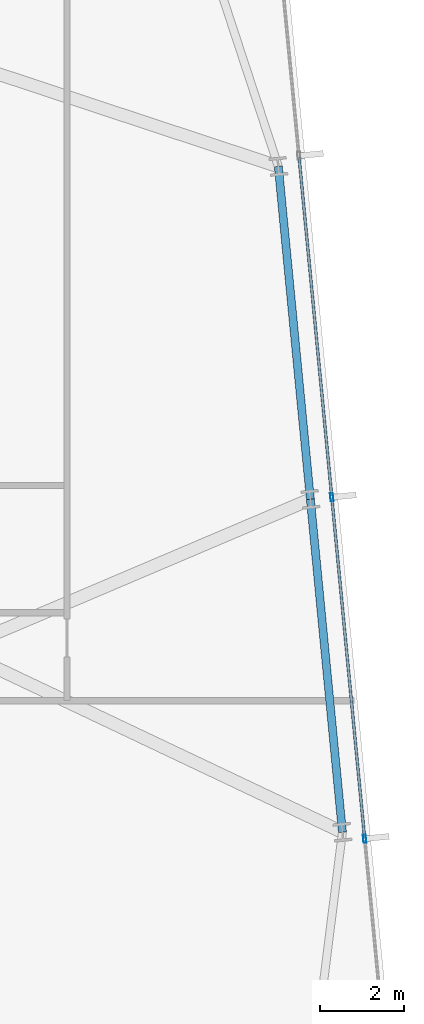
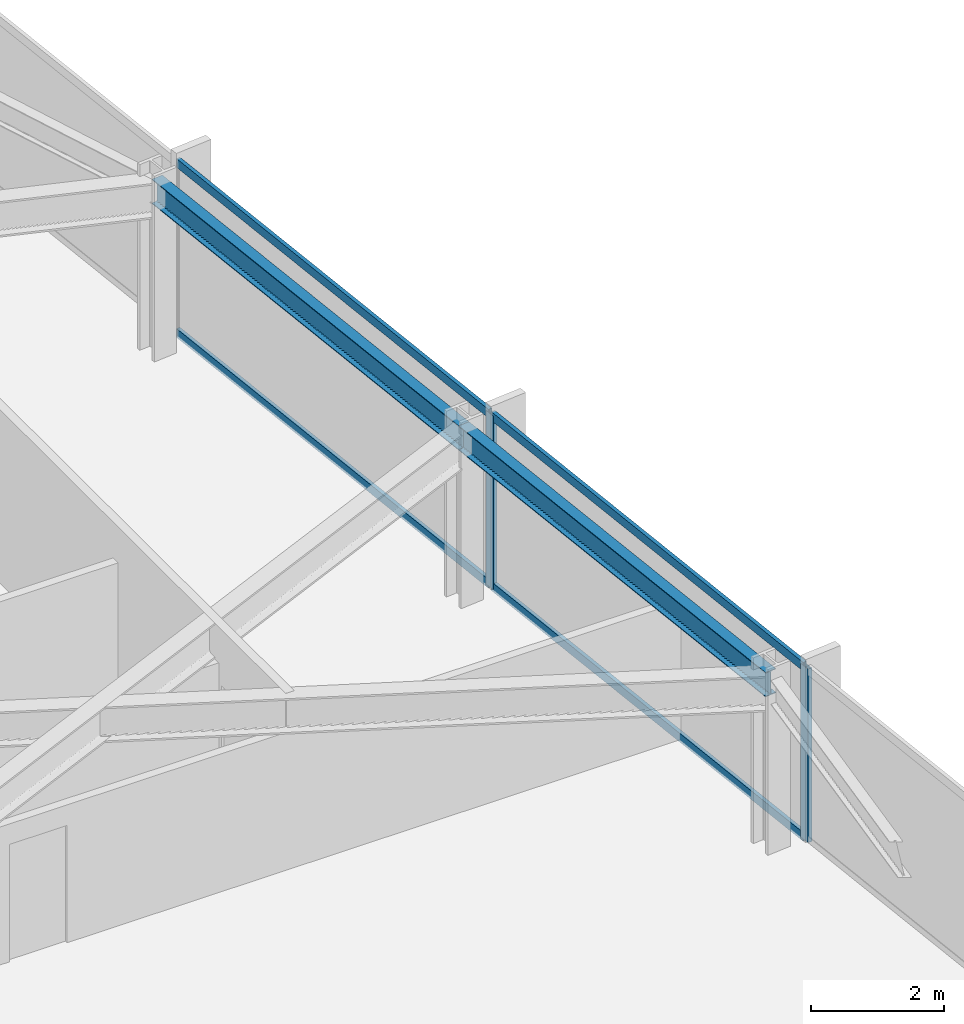
# One storey, part 16 of 32: 6 members, 2 beams, 1 element without a shape of its own.
"""IFC4 building model written with IfcOpenShell, lengths in metres."""

from ifc_helpers import new_model, si_unit, direction, frame, origin, origin_2d, place, context, subcontext, project, spatial, hollow_rectangle, i_section, extrude, material, material_profile, profile_set, type_object, element, aggregate, save


model = new_model("IFC4")

# Units and contexts
model_context = context("Model", 3, precision=1e-05, world=origin(), true_north=direction((0.0, 1.0)))
body_context = subcontext(model_context, "Body", "Model", "MODEL_VIEW")
ifc_project = project(units=[si_unit("LENGTHUNIT", "METRE"), si_unit("AREAUNIT", "SQUARE_METRE"), si_unit("VOLUMEUNIT", "CUBIC_METRE"), si_unit("PLANEANGLEUNIT", "RADIAN"), si_unit("MASSUNIT", "GRAM", prefix="KILO")], contexts=[model_context])

# Site, building, storey
site_placement = place(None, origin())
site = spatial("IfcSite", under=ifc_project, at=site_placement, CompositionType="ELEMENT")
building_placement = place(site_placement, origin())
building = spatial("IfcBuilding", under=site, at=building_placement, Name="Yelkora Congress Tower", CompositionType="ELEMENT")
storey_placement = place(building_placement, frame((0.0, 0.0, 130.5)))
storey = spatial("IfcBuildingStorey", under=building, at=storey_placement, Name="L35", CompositionType="ELEMENT", Elevation=130.5)

# Beams
ifc_material_1 = material(Name="Steel S355J2", Category="steel")
ifc_material_profile_1 = material_profile(ifc_material_1, i_section(OverallWidth=0.18994140625, OverallDepth=0.449951171875, WebThickness=0.009521484375, FlangeThickness=0.0146484375, FilletRadius=0.02099609375, at=origin_2d()), Name="IPE 450")
ifc_profile_set_1 = profile_set([ifc_material_profile_1], Name="Steel S355J2")
beam_type = type_object("IfcBeamType", Name="BM-SPAN-IPE450", PredefinedType="SPANDREL", material=ifc_profile_set_1)
beam_1_placement = place(storey_placement, frame((76.041259765625, 24.83349609375, 2.955078125), z_axis=(-0.095839787071, 0.995396772757, 0.0), x_axis=(-0.995396772757, -0.095839787071, 0.0)))
element("IfcBeam", 1, at=beam_1_placement, inside=storey, type_object=beam_type, Name="L35 Perimeter Beam 11", PredefinedType="SPANDREL", context=body_context, shape_type="SweptSolid", body=[
    extrude(i_section(OverallWidth=0.18994140625, OverallDepth=0.449951171875, WebThickness=0.009521484375, FlangeThickness=0.0146484375, FilletRadius=0.02099609375, at=origin_2d()), origin(), (0.0, 0.0, 1.0), 7.9248046875),
])
beam_2_placement = place(storey_placement, frame((75.28173828125, 32.721923828125, 2.955078125), z_axis=(-0.09583684824, 0.995397055712, 0.0), x_axis=(-0.995397055712, -0.09583684824, 0.0)))
element("IfcBeam", 2, at=beam_2_placement, inside=storey, type_object=beam_type, Name="L35 Perimeter Beam 12", PredefinedType="SPANDREL", context=body_context, shape_type="SweptSolid", body=[
    extrude(i_section(OverallWidth=0.18994140625, OverallDepth=0.449951171875, WebThickness=0.009521484375, FlangeThickness=0.0146484375, FilletRadius=0.02099609375, at=origin_2d()), origin(), (0.0, 0.0, 1.0), 7.925048828125),
])

# Curtain wall, members
ifc_material_2 = material(Name="Anodised aluminium and insulated glass", Category="aluminium")
curtain_wall_type = type_object("IfcCurtainWallType", Name="CW-SYS-B2", PredefinedType="NOTDEFINED", material=ifc_material_2)
curtain_wall_placement = place(storey_placement, origin())
curtain_wall = element("IfcCurtainWall", 3, at=curtain_wall_placement, inside=storey, type_object=curtain_wall_type, Name="L35 Unitised Curtain Wall 15", PredefinedType="NOTDEFINED")
ifc_material_3 = material(Name="Anodised aluminium 6063-T6", Category="aluminium")
ifc_material_profile_2 = material_profile(ifc_material_3, hollow_rectangle(XDim=0.070068359375, YDim=0.18994140625, WallThickness=0.00390625, at=origin_2d()), Name="ALU 70x190x4")
ifc_profile_set_2 = profile_set([ifc_material_profile_2], Name="Anodised aluminium 6063-T6")
member_type_1 = type_object("IfcMemberType", Name="MEM-ML-B2", PredefinedType="MULLION", material=ifc_profile_set_2)
member_1_placement = place(storey_placement, frame((75.789306640625, 32.770751953125, 0.0), z_axis=(0.0, 0.0, 1.0), x_axis=(0.995396507508, 0.095842541913, 0.0)))
member_1 = element("IfcMember", 4, at=member_1_placement, type_object=member_type_1, Name="CW-B2 mullion 3", PredefinedType="MULLION", context=body_context, shape_type="SweptSolid", body=[
    extrude(hollow_rectangle(XDim=0.070068359375, YDim=0.18994140625, WallThickness=0.00390625, at=origin_2d()), origin(), (0.0, 0.0, 1.0), 3.179931640625),
])
member_2_placement = place(storey_placement, frame((76.568603515625, 24.67822265625, 0.0), z_axis=(0.0, 0.0, 1.0), x_axis=(0.995396507508, 0.095842541913, 0.0)))
member_2 = element("IfcMember", 5, at=member_2_placement, type_object=member_type_1, Name="CW-B2 mullion 4", PredefinedType="MULLION", context=body_context, shape_type="SweptSolid", body=[
    extrude(hollow_rectangle(XDim=0.070068359375, YDim=0.18994140625, WallThickness=0.00390625, at=origin_2d()), origin(), (0.0, 0.0, 1.0), 3.179931640625),
])
ifc_material_profile_3 = material_profile(ifc_material_3, hollow_rectangle(XDim=0.06494140625, YDim=0.159912109375, WallThickness=0.00390625, at=origin_2d()), Name="ALU 65x160x4")
ifc_profile_set_3 = profile_set([ifc_material_profile_3], Name="Anodised aluminium 6063-T6")
member_type_2 = type_object("IfcMemberType", Name="MEM-TR-B2", PredefinedType="USERDEFINED", material=ifc_profile_set_3)
member_3_placement = place(storey_placement, frame((75.013427734375, 40.82861328125, 0.032470703125), z_axis=(0.095838228465, -0.995396922823, 0.0), x_axis=(0.995396922823, 0.095838228465, 0.0)))
member_3 = element("IfcMember", 6, at=member_3_placement, type_object=member_type_2, Name="CW-B2 transom 2.1", ObjectType="TRANSOM", PredefinedType="USERDEFINED", context=body_context, shape_type="SweptSolid", body=[
    extrude(hollow_rectangle(XDim=0.06494140625, YDim=0.159912109375, WallThickness=0.00390625, at=origin_2d()), origin(), (0.0, 0.0, 1.0), 8.06005859375),
])
member_4_placement = place(storey_placement, frame((75.013427734375, 40.82861328125, 3.1474609375), z_axis=(0.095838228465, -0.995396922823, 0.0), x_axis=(0.995396922823, 0.095838228465, 0.0)))
member_4 = element("IfcMember", 7, at=member_4_placement, type_object=member_type_2, Name="CW-B2 transom 2.2", ObjectType="TRANSOM", PredefinedType="USERDEFINED", context=body_context, shape_type="SweptSolid", body=[
    extrude(hollow_rectangle(XDim=0.06494140625, YDim=0.159912109375, WallThickness=0.00390625, at=origin_2d()), origin(), (0.0, 0.0, 1.0), 8.06005859375),
])
member_5_placement = place(storey_placement, frame((75.792724609375, 32.736083984375, 0.032470703125), z_axis=(0.095838228465, -0.995396922823, 0.0), x_axis=(0.995396922823, 0.095838228465, 0.0)))
member_5 = element("IfcMember", 8, at=member_5_placement, type_object=member_type_2, Name="CW-B2 transom 3.1", ObjectType="TRANSOM", PredefinedType="USERDEFINED", context=body_context, shape_type="SweptSolid", body=[
    extrude(hollow_rectangle(XDim=0.06494140625, YDim=0.159912109375, WallThickness=0.00390625, at=origin_2d()), origin(), (0.0, 0.0, 1.0), 8.06005859375),
])
member_6_placement = place(storey_placement, frame((75.792724609375, 32.736083984375, 3.1474609375), z_axis=(0.095838228465, -0.995396922823, 0.0), x_axis=(0.995396922823, 0.095838228465, 0.0)))
member_6 = element("IfcMember", 9, at=member_6_placement, type_object=member_type_2, Name="CW-B2 transom 3.2", ObjectType="TRANSOM", PredefinedType="USERDEFINED", context=body_context, shape_type="SweptSolid", body=[
    extrude(hollow_rectangle(XDim=0.06494140625, YDim=0.159912109375, WallThickness=0.00390625, at=origin_2d()), origin(), (0.0, 0.0, 1.0), 8.06005859375),
])
aggregate(curtain_wall, [member_1, member_2, member_3, member_4, member_5, member_6])

save(model, "model.ifc")
